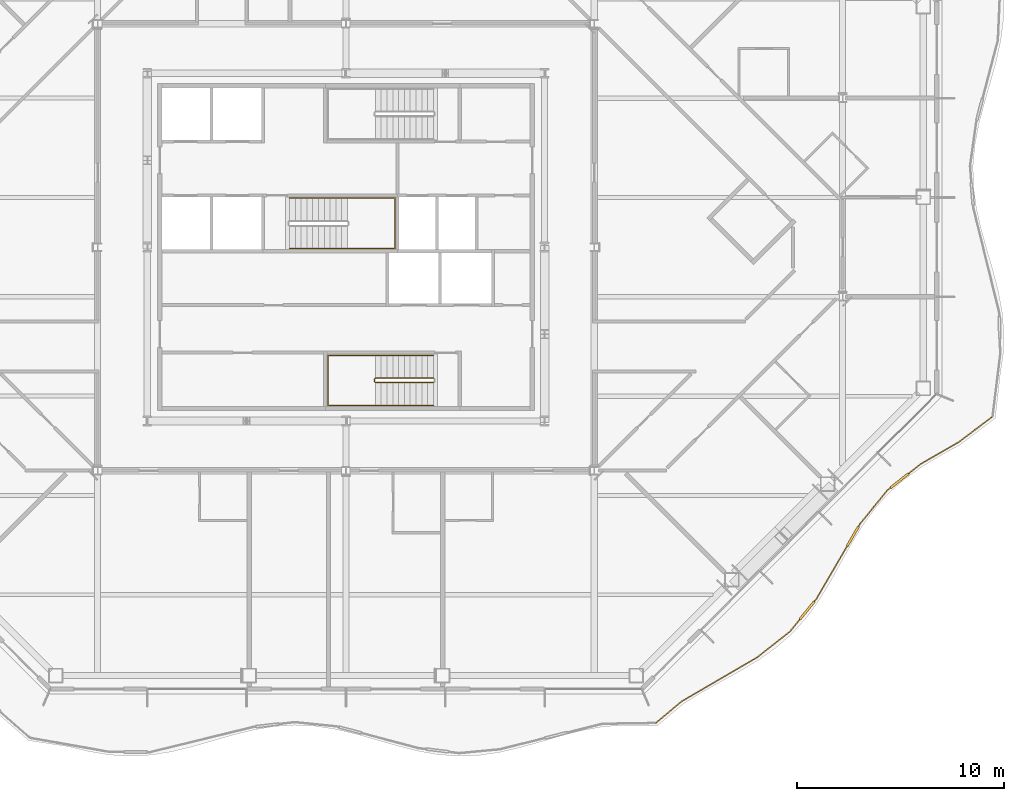
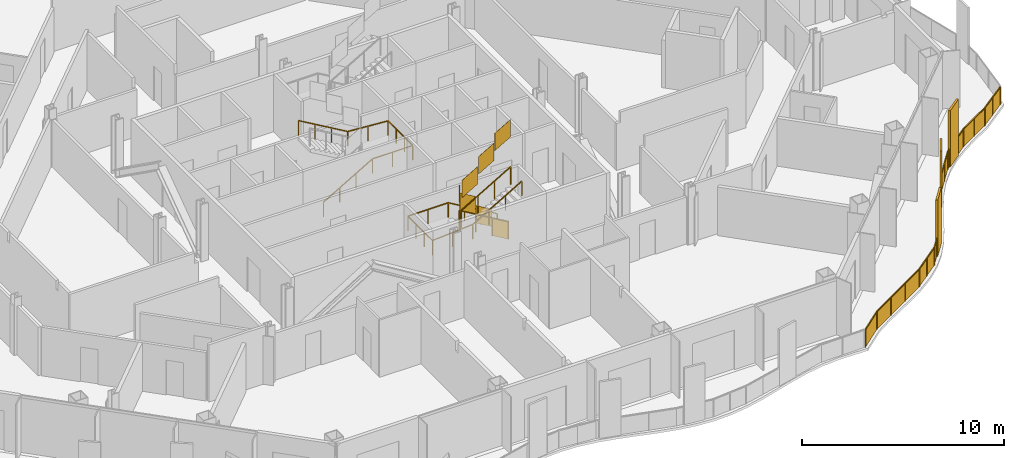
# One storey, part 17 of 21: 4 railings.
"""IFC4 building model written with IfcOpenShell, lengths in metres."""

from ifc_helpers import new_model, si_unit, direction, frame, origin, origin_2d, place, context, subcontext, project, spatial, polyline, rectangle, outline, extrude, material, type_object, element, save


model = new_model("IFC4")

# Units and contexts
model_context = context("Model", 3, precision=1e-05, world=origin(), true_north=direction((0.0, 1.0)))
body_context = subcontext(model_context, "Body", "Model", "MODEL_VIEW")
ifc_project = project(units=[si_unit("LENGTHUNIT", "METRE"), si_unit("AREAUNIT", "SQUARE_METRE"), si_unit("VOLUMEUNIT", "CUBIC_METRE"), si_unit("PLANEANGLEUNIT", "RADIAN"), si_unit("MASSUNIT", "GRAM", prefix="KILO")], contexts=[model_context])

# Site, building, storey
site_placement = place(None, origin())
site = spatial("IfcSite", under=ifc_project, at=site_placement, CompositionType="ELEMENT")
building_placement = place(site_placement, origin())
building = spatial("IfcBuilding", under=site, at=building_placement, Name="Cairn Pilgrim Tower", CompositionType="ELEMENT")
storey_placement = place(building_placement, frame((0.0, 0.0, 132.60009765625)))
storey = spatial("IfcBuildingStorey", under=building, at=storey_placement, Name="L32", CompositionType="ELEMENT", Elevation=132.60009765625)

# Railings
ifc_material_1 = material(Name="Bronze anodised aluminium rail, posts and fin screens with laminated glass infill", Category="aluminium")
railing_type_1 = type_object("IfcRailingType", Name="BALCONY GUARD WITH FIN SCREENS", PredefinedType="GUARDRAIL", material=ifc_material_1)
railing_1_placement = place(storey_placement, frame((22.180908203125, -20.587646484375, 0.0)))
element("IfcRailing", 1, at=railing_1_placement, inside=storey, type_object=railing_type_1, Name="Balcony guard BGF-2 with fin screens", PredefinedType="GUARDRAIL", context=body_context, shape_type="SweptSolid", body=[
    extrude(rectangle(XDim=0.050048828125, YDim=0.050048828125, at=origin_2d()), frame((0.0, 0.0, 1.0751953125), z_axis=(0.766712840977, 0.641990202013, 0.0), x_axis=(-0.641990202013, 0.766712840977, 0.0)), (0.0, 0.0, 1.0), 1.620849609375),
    extrude(rectangle(XDim=0.050048828125, YDim=0.050048828125, at=origin_2d()), frame((1.24267578125, 1.04052734375, 1.0751953125), z_axis=(0.864030907885, 0.503438765113, 0.0), x_axis=(-0.503438765113, 0.864030907885, 0.0)), (0.0, 0.0, 1.0), 4.214599609375),
    extrude(rectangle(XDim=0.050048828125, YDim=0.050048828125, at=origin_2d()), frame((4.88427734375, 3.162353515625, 1.0751953125), z_axis=(0.785752848969, 0.618540589078, 0.0), x_axis=(-0.618540589078, 0.785752848969, 0.0)), (0.0, 0.0, 1.0), 2.023681640625),
    extrude(rectangle(XDim=1.10009765625, YDim=0.110107421875, at=origin_2d()), frame((7.305419921875, 5.438232421875, 0.0), z_axis=(0.0, 0.0, 1.0), x_axis=(0.63009176056, 0.776520684383, 0.0)), (0.0, 0.0, 1.0), 3.39990234375),
    extrude(rectangle(XDim=0.050048828125, YDim=0.050048828125, at=origin_2d()), frame((6.474365234375, 4.4140625, 1.0751953125), z_axis=(0.63009176056, 0.776520684383, 0.0), x_axis=(-0.776520684383, 0.63009176056, 0.0)), (0.0, 0.0, 1.0), 0.76904296875),
    extrude(rectangle(XDim=0.050048828125, YDim=0.050048828125, at=origin_2d()), frame((7.652099609375, 5.865478515625, 1.0751953125), z_axis=(0.63009176056, 0.776520684383, 0.0), x_axis=(-0.776520684383, 0.63009176056, 0.0)), (0.0, 0.0, 1.0), 0.150146484375),
    extrude(rectangle(XDim=1.10009765625, YDim=0.110107421875, at=origin_2d()), frame((9.513671875, 9.017578125, 0.0), z_axis=(0.0, 0.0, 1.0), x_axis=(0.503106904181, 0.864224185594, 0.0)), (0.0, 0.0, 1.0), 3.39990234375),
    extrude(rectangle(XDim=0.050048828125, YDim=0.050048828125, at=origin_2d()), frame((7.74658203125, 5.98193359375, 1.0751953125), z_axis=(0.503106904181, 0.864224185594, 0.0), x_axis=(-0.864224185594, 0.503106904181, 0.0)), (0.0, 0.0, 1.0), 2.96240234375),
    extrude(rectangle(XDim=0.050048828125, YDim=0.050048828125, at=origin_2d()), frame((9.79052734375, 9.492919921875, 1.0751953125), z_axis=(0.503106904181, 0.864224185594, 0.0), x_axis=(-0.864224185594, 0.503106904181, 0.0)), (0.0, 0.0, 1.0), 0.150146484375),
    extrude(rectangle(XDim=0.050048828125, YDim=0.050048828125, at=origin_2d()), frame((9.865966796875, 9.62255859375, 1.0751953125), z_axis=(0.630158611908, 0.776466434457, 0.0), x_axis=(-0.776466434457, 0.630158611908, 0.0)), (0.0, 0.0, 1.0), 2.075927734375),
    extrude(rectangle(XDim=1.10009765625, YDim=0.110107421875, at=origin_2d()), frame((11.770263671875, 11.70361328125, 0.0), z_axis=(0.0, 0.0, 1.0), x_axis=(0.78582897109, 0.618443876351, 0.0)), (0.0, 0.0, 1.0), 3.39990234375),
    extrude(rectangle(XDim=0.050048828125, YDim=0.050048828125, at=origin_2d()), frame((11.174072265625, 11.234375, 1.0751953125), z_axis=(0.78582897109, 0.618443876351, 0.0), x_axis=(-0.618443876351, 0.78582897109, 0.0)), (0.0, 0.0, 1.0), 0.208740234375),
    extrude(rectangle(XDim=0.050048828125, YDim=0.050048828125, at=origin_2d()), frame((12.20263671875, 12.043701171875, 1.0751953125), z_axis=(0.78582897109, 0.618443876351, 0.0), x_axis=(-0.618443876351, 0.78582897109, 0.0)), (0.0, 0.0, 1.0), 0.769775390625),
    extrude(rectangle(XDim=0.050048828125, YDim=0.050048828125, at=origin_2d()), frame((12.807373046875, 12.519775390625, 1.0751953125), z_axis=(0.867044954431, 0.498229913791, 0.0), x_axis=(-0.498229913791, 0.867044954431, 0.0)), (0.0, 0.0, 1.0), 2.111083984375),
    extrude(rectangle(XDim=0.050048828125, YDim=0.050048828125, at=origin_2d()), frame((14.6376953125, 13.571533203125, 1.0751953125), z_axis=(0.797171508885, 0.603752917527, 0.0), x_axis=(-0.603752917527, 0.797171508885, 0.0)), (0.0, 0.0, 1.0), 1.97412109375),
    extrude(rectangle(XDim=0.050048828125, YDim=0.050048828125, at=origin_2d()), origin(), (0.0, 0.0, 1.0), 1.050048828125),
    extrude(rectangle(XDim=0.050048828125, YDim=0.050048828125, at=origin_2d()), frame((1.24267578125, 1.04052734375, 0.0)), (0.0, 0.0, 1.0), 1.050048828125),
    extrude(rectangle(XDim=0.050048828125, YDim=0.050048828125, at=origin_2d()), frame((2.45654296875, 1.747802734375, 0.0)), (0.0, 0.0, 1.0), 1.050048828125),
    extrude(rectangle(XDim=0.050048828125, YDim=0.050048828125, at=origin_2d()), frame((3.67041015625, 2.455078125, 0.0)), (0.0, 0.0, 1.0), 1.050048828125),
    extrude(rectangle(XDim=0.050048828125, YDim=0.050048828125, at=origin_2d()), frame((4.88427734375, 3.162353515625, 0.0)), (0.0, 0.0, 1.0), 1.050048828125),
    extrude(rectangle(XDim=0.050048828125, YDim=0.050048828125, at=origin_2d()), frame((5.67919921875, 3.7880859375, 0.0)), (0.0, 0.0, 1.0), 1.050048828125),
    extrude(rectangle(XDim=0.050048828125, YDim=0.050048828125, at=origin_2d()), frame((6.474365234375, 4.4140625, 0.0)), (0.0, 0.0, 1.0), 1.050048828125),
    extrude(rectangle(XDim=0.050048828125, YDim=0.050048828125, at=origin_2d()), frame((6.943115234375, 4.99169921875, 0.0)), (0.0, 0.0, 1.0), 1.050048828125),
    extrude(rectangle(XDim=0.050048828125, YDim=0.050048828125, at=origin_2d()), frame((7.667724609375, 5.884765625, 0.0)), (0.0, 0.0, 1.0), 1.050048828125),
    extrude(rectangle(XDim=0.050048828125, YDim=0.050048828125, at=origin_2d()), frame((7.74658203125, 5.98193359375, 0.0)), (0.0, 0.0, 1.0), 1.050048828125),
    extrude(rectangle(XDim=0.050048828125, YDim=0.050048828125, at=origin_2d()), frame((8.485595703125, 7.251220703125, 0.0)), (0.0, 0.0, 1.0), 1.050048828125),
    extrude(rectangle(XDim=0.050048828125, YDim=0.050048828125, at=origin_2d()), frame((9.224365234375, 8.5205078125, 0.0)), (0.0, 0.0, 1.0), 1.050048828125),
    extrude(rectangle(XDim=0.050048828125, YDim=0.050048828125, at=origin_2d()), frame((9.802978515625, 9.514404296875, 0.0)), (0.0, 0.0, 1.0), 1.050048828125),
    extrude(rectangle(XDim=0.050048828125, YDim=0.050048828125, at=origin_2d()), frame((9.865966796875, 9.62255859375, 0.0)), (0.0, 0.0, 1.0), 1.050048828125),
    extrude(rectangle(XDim=0.050048828125, YDim=0.050048828125, at=origin_2d()), frame((10.52001953125, 10.428466796875, 0.0)), (0.0, 0.0, 1.0), 1.050048828125),
    extrude(rectangle(XDim=0.050048828125, YDim=0.050048828125, at=origin_2d()), frame((11.174072265625, 11.234375, 0.0)), (0.0, 0.0, 1.0), 1.050048828125),
    extrude(rectangle(XDim=0.050048828125, YDim=0.050048828125, at=origin_2d()), frame((11.318359375, 11.347900390625, 0.0)), (0.0, 0.0, 1.0), 1.050048828125),
    extrude(rectangle(XDim=0.050048828125, YDim=0.050048828125, at=origin_2d()), frame((12.22216796875, 12.059326171875, 0.0)), (0.0, 0.0, 1.0), 1.050048828125),
    extrude(rectangle(XDim=0.050048828125, YDim=0.050048828125, at=origin_2d()), frame((12.807373046875, 12.519775390625, 0.0)), (0.0, 0.0, 1.0), 1.050048828125),
    extrude(rectangle(XDim=0.050048828125, YDim=0.050048828125, at=origin_2d()), frame((13.72265625, 13.045654296875, 0.0)), (0.0, 0.0, 1.0), 1.050048828125),
    extrude(rectangle(XDim=0.050048828125, YDim=0.050048828125, at=origin_2d()), frame((14.6376953125, 13.571533203125, 0.0)), (0.0, 0.0, 1.0), 1.050048828125),
    extrude(rectangle(XDim=0.050048828125, YDim=0.050048828125, at=origin_2d()), frame((15.424560546875, 14.16748046875, 0.0)), (0.0, 0.0, 1.0), 1.050048828125),
    extrude(rectangle(XDim=0.050048828125, YDim=0.050048828125, at=origin_2d()), frame((16.21142578125, 14.763427734375, 0.0)), (0.0, 0.0, 1.0), 1.050048828125),
    extrude(outline(polyline([(0.02490234375, 0.0), (1.595703125, 0.0), (1.595703125, 1.050048828125), (0.02490234375, 1.050048828125), (0.02490234375, 0.0)])), frame((-0.00390625, 0.004638671875, 0.0), z_axis=(0.641990202013, -0.766712840977, 0.0), x_axis=(0.766712840977, 0.641990202013, 0.0)), (0.0, 0.0, 1.0), 0.011962890625),
    extrude(outline(polyline([(0.02490234375, 0.0), (1.3798828125, 0.0), (1.3798828125, 1.050048828125), (0.02490234375, 1.050048828125), (0.02490234375, 0.0)])), frame((1.23974609375, 1.045654296875, 0.0), z_axis=(0.503438765113, -0.864030907885, 0.0), x_axis=(0.864030907885, 0.503438765113, 0.0)), (0.0, 0.0, 1.0), 0.011962890625),
    extrude(outline(polyline([(0.02490234375, 0.0), (1.3798828125, 0.0), (1.3798828125, 1.050048828125), (0.02490234375, 1.050048828125), (0.02490234375, 0.0)])), frame((2.45361328125, 1.7529296875, 0.0), z_axis=(0.503438765113, -0.864030907885, 0.0), x_axis=(0.864030907885, 0.503438765113, 0.0)), (0.0, 0.0, 1.0), 0.011962890625),
    extrude(outline(polyline([(0.02490234375, 0.0), (1.3798828125, 0.0), (1.3798828125, 1.050048828125), (0.02490234375, 1.050048828125), (0.02490234375, 0.0)])), frame((3.66748046875, 2.460205078125, 0.0), z_axis=(0.503438765113, -0.864030907885, 0.0), x_axis=(0.864030907885, 0.503438765113, 0.0)), (0.0, 0.0, 1.0), 0.011962890625),
    extrude(outline(polyline([(0.02490234375, 0.0), (0.98681640625, 0.0), (0.98681640625, 1.050048828125), (0.02490234375, 1.050048828125), (0.02490234375, 0.0)])), frame((4.880615234375, 3.1669921875, 0.0), z_axis=(0.618540589078, -0.785752848969, 0.0), x_axis=(0.785752848969, 0.618540589078, 0.0)), (0.0, 0.0, 1.0), 0.011962890625),
    extrude(outline(polyline([(0.02490234375, 0.0), (0.98681640625, 0.0), (0.98681640625, 1.050048828125), (0.02490234375, 1.050048828125), (0.02490234375, 0.0)])), frame((5.675537109375, 3.79296875, 0.0), z_axis=(0.618540589078, -0.785752848969, 0.0), x_axis=(0.785752848969, 0.618540589078, 0.0)), (0.0, 0.0, 1.0), 0.011962890625),
    extrude(outline(polyline([(0.02490234375, 0.0), (0.718994140625, 0.0), (0.718994140625, 1.050048828125), (0.02490234375, 1.050048828125), (0.02490234375, 0.0)])), frame((6.4697265625, 4.417724609375, 0.0), z_axis=(0.776520684383, -0.63009176056, 0.0), x_axis=(0.63009176056, 0.776520684383, 0.0)), (0.0, 0.0, 1.0), 0.011962890625),
    extrude(outline(polyline([(0.02490234375, 0.0), (0.10009765625, 0.0), (0.10009765625, 1.050048828125), (0.02490234375, 1.050048828125), (0.02490234375, 0.0)])), frame((7.6630859375, 5.888671875, 0.0), z_axis=(0.776520684383, -0.63009176056, 0.0), x_axis=(0.63009176056, 0.776520684383, 0.0)), (0.0, 0.0, 1.0), 0.011962890625),
    extrude(outline(polyline([(0.02490234375, 0.0), (1.443603515625, 0.0), (1.443603515625, 1.050048828125), (0.02490234375, 1.050048828125), (0.02490234375, 0.0)])), frame((7.741455078125, 5.98486328125, 0.0), z_axis=(0.864224185594, -0.503106904181, 0.0), x_axis=(0.503106904181, 0.864224185594, 0.0)), (0.0, 0.0, 1.0), 0.011962890625),
    extrude(outline(polyline([(0.02490234375, 0.0), (1.443603515625, 0.0), (1.443603515625, 1.050048828125), (0.02490234375, 1.050048828125), (0.02490234375, 0.0)])), frame((8.480224609375, 7.254150390625, 0.0), z_axis=(0.864224185594, -0.503106904181, 0.0), x_axis=(0.503106904181, 0.864224185594, 0.0)), (0.0, 0.0, 1.0), 0.011962890625),
    extrude(outline(polyline([(0.02490234375, 0.0), (0.10009765625, 0.0), (0.10009765625, 1.050048828125), (0.02490234375, 1.050048828125), (0.02490234375, 0.0)])), frame((9.7978515625, 9.517578125, 0.0), z_axis=(0.864224185594, -0.503106904181, 0.0), x_axis=(0.503106904181, 0.864224185594, 0.0)), (0.0, 0.0, 1.0), 0.011962890625),
    extrude(outline(polyline([(0.02490234375, 0.0), (1.012939453125, 0.0), (1.012939453125, 1.050048828125), (0.02490234375, 1.050048828125), (0.02490234375, 0.0)])), frame((9.861328125, 9.626220703125, 0.0), z_axis=(0.776466434457, -0.630158611908, 0.0), x_axis=(0.630158611908, 0.776466434457, 0.0)), (0.0, 0.0, 1.0), 0.011962890625),
    extrude(outline(polyline([(0.02490234375, 0.0), (1.012939453125, 0.0), (1.012939453125, 1.050048828125), (0.02490234375, 1.050048828125), (0.02490234375, 0.0)])), frame((10.515380859375, 10.43212890625, 0.0), z_axis=(0.776466434457, -0.630158611908, 0.0), x_axis=(0.630158611908, 0.776466434457, 0.0)), (0.0, 0.0, 1.0), 0.011962890625),
    extrude(outline(polyline([(0.02490234375, 0.0), (0.15869140625, 0.0), (0.15869140625, 1.050048828125), (0.02490234375, 1.050048828125), (0.02490234375, 0.0)])), frame((11.17041015625, 11.239013671875, 0.0), z_axis=(0.618443876351, -0.78582897109, 0.0), x_axis=(0.78582897109, 0.618443876351, 0.0)), (0.0, 0.0, 1.0), 0.011962890625),
    extrude(outline(polyline([(0.02490234375, 0.0), (0.7197265625, 0.0), (0.7197265625, 1.050048828125), (0.02490234375, 1.050048828125), (0.02490234375, 0.0)])), frame((12.218505859375, 12.06396484375, 0.0), z_axis=(0.618443876351, -0.78582897109, 0.0), x_axis=(0.78582897109, 0.618443876351, 0.0)), (0.0, 0.0, 1.0), 0.011962890625),
    extrude(outline(polyline([(0.02490234375, 0.0), (1.030517578125, 0.0), (1.030517578125, 1.050048828125), (0.02490234375, 1.050048828125), (0.02490234375, 0.0)])), frame((12.804443359375, 12.52490234375, 0.0), z_axis=(0.498229913791, -0.867044954431, 0.0), x_axis=(0.867044954431, 0.498229913791, 0.0)), (0.0, 0.0, 1.0), 0.011962890625),
    extrude(outline(polyline([(0.02490234375, 0.0), (1.030517578125, 0.0), (1.030517578125, 1.050048828125), (0.02490234375, 1.050048828125), (0.02490234375, 0.0)])), frame((13.719482421875, 13.05078125, 0.0), z_axis=(0.498229913791, -0.867044954431, 0.0), x_axis=(0.867044954431, 0.498229913791, 0.0)), (0.0, 0.0, 1.0), 0.011962890625),
    extrude(outline(polyline([(0.02490234375, 0.0), (0.962158203125, 0.0), (0.962158203125, 1.050048828125), (0.02490234375, 1.050048828125), (0.02490234375, 0.0)])), frame((14.634033203125, 13.576416015625, 0.0), z_axis=(0.603752917527, -0.797171508885, 0.0), x_axis=(0.797171508885, 0.603752917527, 0.0)), (0.0, 0.0, 1.0), 0.011962890625),
    extrude(outline(polyline([(0.02490234375, 0.0), (0.962158203125, 0.0), (0.962158203125, 1.050048828125), (0.02490234375, 1.050048828125), (0.02490234375, 0.0)])), frame((15.4208984375, 14.17236328125, 0.0), z_axis=(0.603752917527, -0.797171508885, 0.0), x_axis=(0.797171508885, 0.603752917527, 0.0)), (0.0, 0.0, 1.0), 0.011962890625),
])
ifc_material_2 = material(Name="Painted steel", Category="steel")
railing_type_2 = type_object("IfcRailingType", Name="STAIR GUARD 1100", PredefinedType="GUARDRAIL", material=ifc_material_2)
railing_2_placement = place(storey_placement, frame((11.425048828125, -3.925048828125, 0.16357421875)))
element("IfcRailing", 2, at=railing_2_placement, inside=storey, type_object=railing_type_2, Name="L32 ST-A stair guard 1", PredefinedType="GUARDRAIL", context=body_context, shape_type="SweptSolid", body=[
    extrude(rectangle(XDim=0.048095703125, YDim=0.048095703125, at=origin_2d()), frame((0.0, 0.0, 1.076171875), z_axis=(-0.863393664356, 0.0, 0.504530851732), x_axis=(0.0, -1.0, 0.0)), (0.0, 0.0, 1.0), 3.2431640625),
    extrude(rectangle(XDim=0.048095703125, YDim=0.048095703125, at=origin_2d()), frame((-2.800048828125, 0.0, 2.71240234375), z_axis=(-0.707106781187, -0.707106781187, 0.0), x_axis=(0.707106781187, -0.707106781187, 0.0)), (0.0, 0.0, 1.0), 0.07080078125),
    extrude(rectangle(XDim=0.048095703125, YDim=0.048095703125, at=origin_2d()), frame((-2.85009765625, -0.050048828125, 2.71240234375), z_axis=(0.0, -1.0, 0.0), x_axis=(1.0, 0.0, 0.0)), (0.0, 0.0, 1.0), 0.125),
    extrude(rectangle(XDim=0.048095703125, YDim=0.048095703125, at=origin_2d()), frame((-2.85009765625, -0.175048828125, 2.71240234375), z_axis=(0.280563532951, -0.279194930351, 0.91833234444), x_axis=(0.705375805398, 0.708833529934, 0.0)), (0.0, 0.0, 1.0), 0.178466796875),
    extrude(rectangle(XDim=0.048095703125, YDim=0.048095703125, at=origin_2d()), frame((-2.800048828125, -0.224853515625, 2.8759765625), z_axis=(0.863393664356, 0.0, 0.504530851732), x_axis=(0.0, 1.0, 0.0)), (0.0, 0.0, 1.0), 3.2431640625),
    extrude(rectangle(XDim=0.0419921875, YDim=0.0419921875, at=origin_2d()), origin(), (0.0, 0.0, 1.0), 1.052001953125),
    extrude(rectangle(XDim=0.0419921875, YDim=0.0419921875, at=origin_2d()), frame((-0.933349609375, 0.0, 0.54541015625)), (0.0, 0.0, 1.0), 1.052001953125),
    extrude(rectangle(XDim=0.0419921875, YDim=0.0419921875, at=origin_2d()), frame((-1.86669921875, 0.0, 1.0908203125)), (0.0, 0.0, 1.0), 1.052001953125),
    extrude(rectangle(XDim=0.0419921875, YDim=0.0419921875, at=origin_2d()), frame((-2.800048828125, 0.0, 1.63623046875)), (0.0, 0.0, 1.0), 1.052001953125),
    extrude(rectangle(XDim=0.0419921875, YDim=0.0419921875, at=origin_2d()), frame((-2.85009765625, -0.050048828125, 1.63623046875)), (0.0, 0.0, 1.0), 1.052001953125),
    extrude(rectangle(XDim=0.0419921875, YDim=0.0419921875, at=origin_2d()), frame((-2.85009765625, -0.175048828125, 1.63623046875)), (0.0, 0.0, 1.0), 1.052001953125),
    extrude(rectangle(XDim=0.0419921875, YDim=0.0419921875, at=origin_2d()), frame((-2.800048828125, -0.224853515625, 1.800048828125)), (0.0, 0.0, 1.0), 1.052001953125),
    extrude(rectangle(XDim=0.0419921875, YDim=0.0419921875, at=origin_2d()), frame((-1.86669921875, -0.224853515625, 2.345458984375)), (0.0, 0.0, 1.0), 1.052001953125),
    extrude(rectangle(XDim=0.0419921875, YDim=0.0419921875, at=origin_2d()), frame((-0.933349609375, -0.224853515625, 2.890869140625)), (0.0, 0.0, 1.0), 1.052001953125),
    extrude(rectangle(XDim=0.0419921875, YDim=0.0419921875, at=origin_2d()), frame((0.0, -0.224853515625, 3.436279296875)), (0.0, 0.0, 1.0), 1.052001953125),
    extrude(outline(polyline([(0.02099609375, 0.01220703125), (0.912353515625, 0.533203125), (0.912353515625, 1.585205078125), (0.02099609375, 1.064208984375), (0.02099609375, 0.01220703125)])), frame((0.0, -0.005859375, 0.0), z_axis=(0.0, 1.0, 0.0), x_axis=(-1.0, 0.0, 0.0)), (0.0, 0.0, 1.0), 0.011962890625),
    extrude(outline(polyline([(0.02099609375, 0.5576171875), (0.912353515625, 1.07861328125), (0.912353515625, 2.130615234375), (0.02099609375, 1.609619140625), (0.02099609375, 0.5576171875)])), frame((-0.933349609375, -0.005859375, 0.54541015625), z_axis=(0.0, 1.0, 0.0), x_axis=(-1.0, 0.0, 0.0)), (0.0, 0.0, 1.0), 0.011962890625),
    extrude(outline(polyline([(0.02099609375, 1.10302734375), (0.912353515625, 1.6240234375), (0.912353515625, 2.676025390625), (0.02099609375, 2.155029296875), (0.02099609375, 1.10302734375)])), frame((-1.86669921875, -0.005859375, 1.0908203125), z_axis=(0.0, 1.0, 0.0), x_axis=(-1.0, 0.0, 0.0)), (0.0, 0.0, 1.0), 0.011962890625),
    extrude(outline(polyline([(0.02099609375, 1.63623046875), (0.10400390625, 1.63623046875), (0.10400390625, 2.688232421875), (0.02099609375, 2.688232421875), (0.02099609375, 1.63623046875)])), frame((-2.84423828125, -0.050048828125, 1.63623046875), z_axis=(-1.0, 0.0, 0.0), x_axis=(0.0, -1.0, 0.0)), (0.0, 0.0, 1.0), 0.011962890625),
    extrude(outline(polyline([(0.02099609375, 1.812255859375), (0.912353515625, 2.333251953125), (0.912353515625, 3.38525390625), (0.02099609375, 2.8642578125), (0.02099609375, 1.812255859375)])), frame((-2.800048828125, -0.21875, 1.800048828125), z_axis=(0.0, -1.0, 0.0), x_axis=(1.0, 0.0, 0.0)), (0.0, 0.0, 1.0), 0.011962890625),
    extrude(outline(polyline([(0.02099609375, 2.357666015625), (0.912353515625, 2.878662109375), (0.912353515625, 3.9306640625), (0.02099609375, 3.40966796875), (0.02099609375, 2.357666015625)])), frame((-1.86669921875, -0.21875, 2.345458984375), z_axis=(0.0, -1.0, 0.0), x_axis=(1.0, 0.0, 0.0)), (0.0, 0.0, 1.0), 0.011962890625),
    extrude(outline(polyline([(0.02099609375, 2.903076171875), (0.912353515625, 3.424072265625), (0.912353515625, 4.47607421875), (0.02099609375, 3.955078125), (0.02099609375, 2.903076171875)])), frame((-0.933349609375, -0.21875, 2.890869140625), z_axis=(0.0, -1.0, 0.0), x_axis=(1.0, 0.0, 0.0)), (0.0, 0.0, 1.0), 0.011962890625),
])
railing_type_3 = type_object("IfcRailingType", Name="STAIR HANDRAIL 900", PredefinedType="HANDRAIL", material=ifc_material_2)
railing_3_placement = place(storey_placement, frame((11.425048828125, -2.824951171875, 0.16357421875)))
element("IfcRailing", 3, at=railing_3_placement, inside=storey, type_object=railing_type_3, Name="L32 ST-A stair handrail 1", PredefinedType="HANDRAIL", context=body_context, shape_type="SweptSolid", body=[
    extrude(rectangle(XDim=0.048095703125, YDim=0.048095703125, at=origin_2d()), frame((0.0, 0.0, 0.8759765625), z_axis=(-0.863393664356, 0.0, 0.504530851732), x_axis=(0.0, -1.0, 0.0)), (0.0, 0.0, 1.0), 3.2431640625),
    extrude(rectangle(XDim=0.048095703125, YDim=0.048095703125, at=origin_2d()), frame((-2.800048828125, 0.0, 2.51220703125), z_axis=(-1.0, 0.0, 0.0), x_axis=(0.0, -1.0, 0.0)), (0.0, 0.0, 1.0), 2.300048828125),
    extrude(rectangle(XDim=0.048095703125, YDim=0.048095703125, at=origin_2d()), frame((-5.10009765625, 0.0, 2.51220703125), z_axis=(0.0, -1.0, 0.0), x_axis=(1.0, 0.0, 0.0)), (0.0, 0.0, 1.0), 2.425048828125),
    extrude(rectangle(XDim=0.048095703125, YDim=0.048095703125, at=origin_2d()), frame((-5.10009765625, -2.425048828125, 2.51220703125), z_axis=(0.99747319029, 0.0, 0.071043892441), x_axis=(0.0, 1.0, 0.0)), (0.0, 0.0, 1.0), 2.305908203125),
    extrude(rectangle(XDim=0.048095703125, YDim=0.048095703125, at=origin_2d()), frame((-2.800048828125, -2.425048828125, 2.67578125), z_axis=(0.863393664356, 0.0, 0.504530851732), x_axis=(0.0, 1.0, 0.0)), (0.0, 0.0, 1.0), 3.2431640625),
    extrude(rectangle(XDim=0.0419921875, YDim=0.0419921875, at=origin_2d()), origin(), (0.0, 0.0, 1.0), 0.851806640625),
    extrude(rectangle(XDim=0.0419921875, YDim=0.0419921875, at=origin_2d()), frame((-0.933349609375, 0.0, 0.54541015625)), (0.0, 0.0, 1.0), 0.851806640625),
    extrude(rectangle(XDim=0.0419921875, YDim=0.0419921875, at=origin_2d()), frame((-1.86669921875, 0.0, 1.0908203125)), (0.0, 0.0, 1.0), 0.851806640625),
    extrude(rectangle(XDim=0.0419921875, YDim=0.0419921875, at=origin_2d()), frame((-2.800048828125, 0.0, 1.63623046875)), (0.0, 0.0, 1.0), 0.851806640625),
    extrude(rectangle(XDim=0.0419921875, YDim=0.0419921875, at=origin_2d()), frame((-3.9501953125, 0.0, 1.63623046875)), (0.0, 0.0, 1.0), 0.851806640625),
    extrude(rectangle(XDim=0.0419921875, YDim=0.0419921875, at=origin_2d()), frame((-5.10009765625, 0.0, 1.63623046875)), (0.0, 0.0, 1.0), 0.851806640625),
    extrude(rectangle(XDim=0.0419921875, YDim=0.0419921875, at=origin_2d()), frame((-5.10009765625, -0.808349609375, 1.63623046875)), (0.0, 0.0, 1.0), 0.851806640625),
    extrude(rectangle(XDim=0.0419921875, YDim=0.0419921875, at=origin_2d()), frame((-5.10009765625, -1.61669921875, 1.63623046875)), (0.0, 0.0, 1.0), 0.851806640625),
    extrude(rectangle(XDim=0.0419921875, YDim=0.0419921875, at=origin_2d()), frame((-5.10009765625, -2.425048828125, 1.63623046875)), (0.0, 0.0, 1.0), 0.851806640625),
    extrude(rectangle(XDim=0.0419921875, YDim=0.0419921875, at=origin_2d()), frame((-3.9501953125, -2.425048828125, 1.71826171875)), (0.0, 0.0, 1.0), 0.851806640625),
    extrude(rectangle(XDim=0.0419921875, YDim=0.0419921875, at=origin_2d()), frame((-2.800048828125, -2.425048828125, 1.800048828125)), (0.0, 0.0, 1.0), 0.851806640625),
    extrude(rectangle(XDim=0.0419921875, YDim=0.0419921875, at=origin_2d()), frame((-1.86669921875, -2.425048828125, 2.345458984375)), (0.0, 0.0, 1.0), 0.851806640625),
    extrude(rectangle(XDim=0.0419921875, YDim=0.0419921875, at=origin_2d()), frame((-0.933349609375, -2.425048828125, 2.890869140625)), (0.0, 0.0, 1.0), 0.851806640625),
    extrude(rectangle(XDim=0.0419921875, YDim=0.0419921875, at=origin_2d()), frame((0.0, -2.425048828125, 3.436279296875)), (0.0, 0.0, 1.0), 0.851806640625),
])
railing_4_placement = place(storey_placement, frame((4.47509765625, 2.324951171875, 0.16357421875)))
element("IfcRailing", 4, at=railing_4_placement, inside=storey, type_object=railing_type_3, Name="L32 ST-B stair handrail 1", PredefinedType="HANDRAIL", context=body_context, shape_type="SweptSolid", body=[
    extrude(rectangle(XDim=0.048095703125, YDim=0.048095703125, at=origin_2d()), frame((0.0, 0.0, 0.8759765625), z_axis=(0.863374499697, 0.0, 0.504563646405), x_axis=(0.0, 1.0, 0.0)), (0.0, 0.0, 1.0), 3.242919921875),
    extrude(rectangle(XDim=0.048095703125, YDim=0.048095703125, at=origin_2d()), frame((2.7998046875, 0.0, 2.51220703125), z_axis=(1.0, 0.0, 0.0), x_axis=(0.0, 1.0, 0.0)), (0.0, 0.0, 1.0), 2.300048828125),
    extrude(rectangle(XDim=0.048095703125, YDim=0.048095703125, at=origin_2d()), frame((5.099853515625, 0.0, 2.51220703125), z_axis=(0.0, 1.0, 0.0), x_axis=(-1.0, 0.0, 0.0)), (0.0, 0.0, 1.0), 2.449951171875),
    extrude(rectangle(XDim=0.048095703125, YDim=0.048095703125, at=origin_2d()), frame((5.099853515625, 2.449951171875, 2.51220703125), z_axis=(-0.99747319029, 0.0, 0.071043892441), x_axis=(0.0, -1.0, 0.0)), (0.0, 0.0, 1.0), 2.305908203125),
    extrude(rectangle(XDim=0.048095703125, YDim=0.048095703125, at=origin_2d()), frame((2.7998046875, 2.449951171875, 2.67578125), z_axis=(-0.863374499697, 0.0, 0.504563646405), x_axis=(0.0, -1.0, 0.0)), (0.0, 0.0, 1.0), 3.242919921875),
    extrude(rectangle(XDim=0.0419921875, YDim=0.0419921875, at=origin_2d()), origin(), (0.0, 0.0, 1.0), 0.851806640625),
    extrude(rectangle(XDim=0.0419921875, YDim=0.0419921875, at=origin_2d()), frame((0.933349609375, 0.0, 0.54541015625)), (0.0, 0.0, 1.0), 0.851806640625),
    extrude(rectangle(XDim=0.0419921875, YDim=0.0419921875, at=origin_2d()), frame((1.866455078125, 0.0, 1.0908203125)), (0.0, 0.0, 1.0), 0.851806640625),
    extrude(rectangle(XDim=0.0419921875, YDim=0.0419921875, at=origin_2d()), frame((2.7998046875, 0.0, 1.63623046875)), (0.0, 0.0, 1.0), 0.851806640625),
    extrude(rectangle(XDim=0.0419921875, YDim=0.0419921875, at=origin_2d()), frame((3.94970703125, 0.0, 1.63623046875)), (0.0, 0.0, 1.0), 0.851806640625),
    extrude(rectangle(XDim=0.0419921875, YDim=0.0419921875, at=origin_2d()), frame((5.099853515625, 0.0, 1.63623046875)), (0.0, 0.0, 1.0), 0.851806640625),
    extrude(rectangle(XDim=0.0419921875, YDim=0.0419921875, at=origin_2d()), frame((5.099853515625, 0.816650390625, 1.63623046875)), (0.0, 0.0, 1.0), 0.851806640625),
    extrude(rectangle(XDim=0.0419921875, YDim=0.0419921875, at=origin_2d()), frame((5.099853515625, 1.63330078125, 1.63623046875)), (0.0, 0.0, 1.0), 0.851806640625),
    extrude(rectangle(XDim=0.0419921875, YDim=0.0419921875, at=origin_2d()), frame((5.099853515625, 2.449951171875, 1.63623046875)), (0.0, 0.0, 1.0), 0.851806640625),
    extrude(rectangle(XDim=0.0419921875, YDim=0.0419921875, at=origin_2d()), frame((3.94970703125, 2.449951171875, 1.71826171875)), (0.0, 0.0, 1.0), 0.851806640625),
    extrude(rectangle(XDim=0.0419921875, YDim=0.0419921875, at=origin_2d()), frame((2.7998046875, 2.449951171875, 1.800048828125)), (0.0, 0.0, 1.0), 0.851806640625),
    extrude(rectangle(XDim=0.0419921875, YDim=0.0419921875, at=origin_2d()), frame((1.866455078125, 2.449951171875, 2.345458984375)), (0.0, 0.0, 1.0), 0.851806640625),
    extrude(rectangle(XDim=0.0419921875, YDim=0.0419921875, at=origin_2d()), frame((0.933349609375, 2.449951171875, 2.890869140625)), (0.0, 0.0, 1.0), 0.851806640625),
    extrude(rectangle(XDim=0.0419921875, YDim=0.0419921875, at=origin_2d()), frame((0.0, 2.449951171875, 3.436279296875)), (0.0, 0.0, 1.0), 0.851806640625),
])

save(model, "model.ifc")
